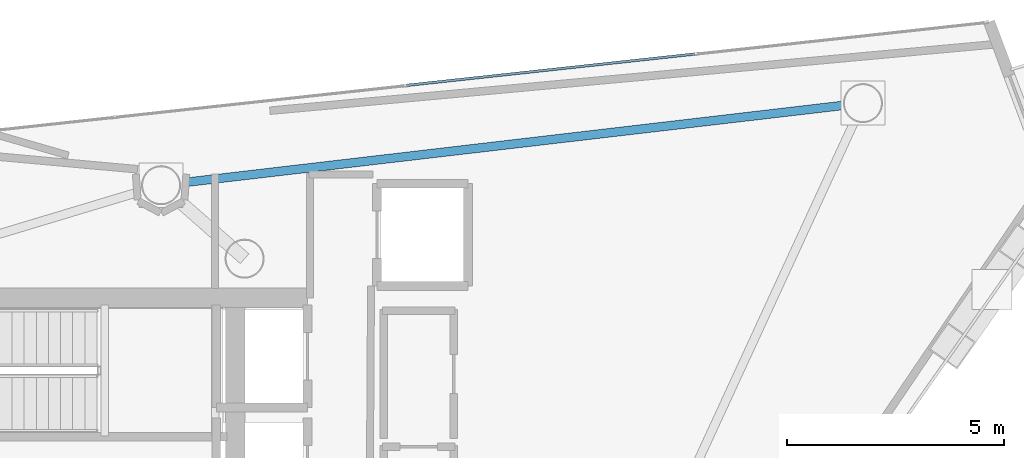
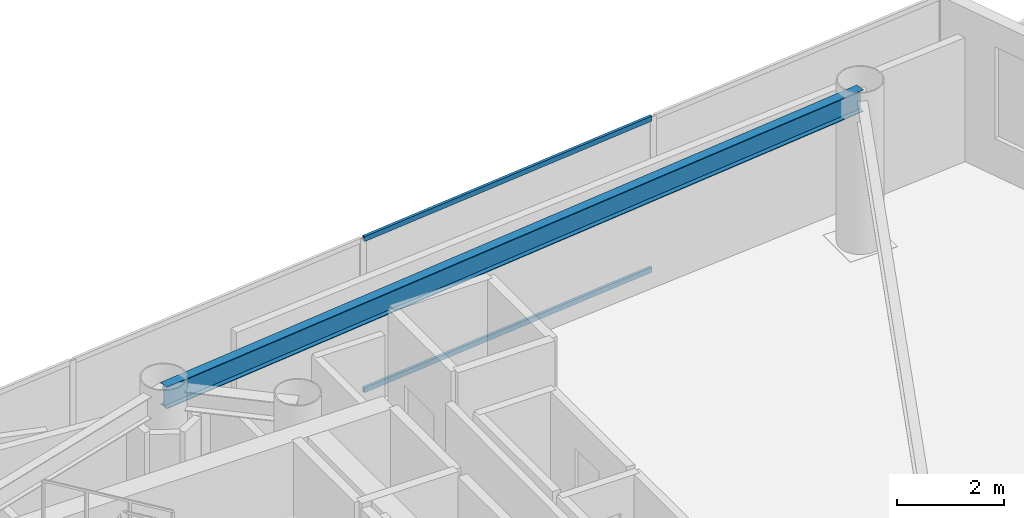
# One storey, part 12 of 19: 2 members, 1 beam, 1 element without a shape of its own.
"""IFC4 building model written with IfcOpenShell, lengths in metres."""

import ifcopenshell
import ifcopenshell.guid

model = None  # the IFC model being written
_history = None  # IfcOwnerHistory: only IFC2X3 demands one
_inside = {}  # id of a spatial element -> (the spatial element, [elements in it])
_under = {}  # id of a project, library or spatial element -> (it, [spatial elements below it])
_declared = {}  # id of a project -> (the project, [libraries it declares])
_typed = {}  # id of a type object -> (the type object, [elements of that type])
_made_of = {}  # id of a material, layer set ... -> (it, [elements and type objects made of it])


def new_model(schema):
    """Start an empty IFC model of exactly this schema.

    Asked for "IFC4X3", IfcOpenShell would pick the latest addendum, in which some entities
    have other attributes; the version numbers below select the first issue.
    IFC2X3 requires an IfcOwnerHistory on every rooted entity: one is made here for all.
    """
    global model, _history
    if schema == "IFC4X3":
        model = ifcopenshell.file(schema_version=(4, 3, 0, 0))
    else:
        model = ifcopenshell.file(schema=schema)
    _inside.clear()
    _under.clear()
    _declared.clear()
    _typed.clear()
    _made_of.clear()
    _history = None
    if model.schema == "IFC2X3":
        org = make("IfcOrganization", Name="unknown")
        user = make(
            "IfcPersonAndOrganization",
            ThePerson=make("IfcPerson", FamilyName="unknown"),
            TheOrganization=org,
        )
        app = make(
            "IfcApplication",
            ApplicationDeveloper=org,
            Version="unknown",
            ApplicationFullName="unknown",
            ApplicationIdentifier="unknown",
        )
        _history = make(
            "IfcOwnerHistory",
            OwningUser=user,
            OwningApplication=app,
            ChangeAction="ADDED",
            CreationDate=0,
        )
    return model


def make(cls, **values):
    """One entity of the class cls with the attributes given. An attribute that is None is left unset."""
    return model.create_entity(
        cls, **{name: value for name, value in values.items() if value is not None}
    )


def rooted(cls, **values):
    """An entity with a GlobalId (a new one), such as an element, a storey or a relation."""
    return make(cls, GlobalId=ifcopenshell.guid.new(), OwnerHistory=_history, **values)


def si_unit(unit_type, name, prefix=None):
    """IfcSIUnit, for example si_unit("LENGTHUNIT", "METRE", prefix="MILLI")."""
    return make("IfcSIUnit", UnitType=unit_type, Prefix=prefix, Name=name)


def assignment(units):
    """IfcUnitAssignment: the units of a project."""
    return None if units is None else make("IfcUnitAssignment", Units=units)


def point(xyz):
    """IfcCartesianPoint."""
    return None if xyz is None else make("IfcCartesianPoint", Coordinates=xyz)


def direction(xyz):
    """IfcDirection."""
    return None if xyz is None else make("IfcDirection", DirectionRatios=xyz)


def frame(location, z_axis=None, x_axis=None):
    """IfcAxis2Placement3D, a coordinate frame: its origin and axes. An axis left out is left unset."""
    return make(
        "IfcAxis2Placement3D",
        Location=point(location),
        Axis=direction(z_axis),
        RefDirection=direction(x_axis),
    )


def frame_2d(location, x_axis=None):
    """IfcAxis2Placement2D, a coordinate frame in the plane: its origin and x axis."""
    return make(
        "IfcAxis2Placement2D", Location=point(location), RefDirection=direction(x_axis)
    )


def origin():
    """The frame at (0, 0, 0) with its axes left unset."""
    return frame((0.0, 0.0, 0.0))


def origin_2d():
    """The frame at (0, 0) in the plane with its x axis left unset."""
    return frame_2d((0.0, 0.0))


def place(relative_to, where):
    """IfcLocalPlacement: puts the frame where relative to a parent placement (None: the world)."""
    return make(
        "IfcLocalPlacement", PlacementRelTo=relative_to, RelativePlacement=where
    )


def context(
    kind, dimensions, precision=None, world=None, true_north=None, identifier=None
):
    """IfcGeometricRepresentationContext, for example the 3D "Model" context."""
    return make(
        "IfcGeometricRepresentationContext",
        ContextIdentifier=identifier,
        ContextType=kind,
        CoordinateSpaceDimension=dimensions,
        Precision=precision,
        WorldCoordinateSystem=world,
        TrueNorth=true_north,
    )


def subcontext(parent, identifier, kind, view, scale=None):
    """IfcGeometricRepresentationSubContext, for example "Body" below "Model"."""
    return make(
        "IfcGeometricRepresentationSubContext",
        ContextIdentifier=identifier,
        ContextType=kind,
        ParentContext=parent,
        TargetScale=scale,
        TargetView=view,
    )


def project(units=None, contexts=None):
    """IfcProject with its units and contexts."""
    return rooted(
        "IfcProject",
        Name="project",
        RepresentationContexts=contexts,
        UnitsInContext=assignment(units),
    )


def spatial(cls, under=None, at=None, **own):
    """A site, building, storey or space (cls), placed at a placement, below another one or the project."""
    s = rooted(cls, ObjectPlacement=at, **own)
    if under is not None:
        _under.setdefault(under.id(), (under, []))[1].append(s)
    return s


def profile(cls, at=None, kind="AREA", **sizes):
    """A parametric profile (cls). Its sizes go by their IFC names, for example OverallWidth=200.0."""
    return make(cls, ProfileType=kind, Position=at, **sizes)


def hollow_rectangle(**sizes):
    """IfcRectangleHollowProfileDef."""
    return profile("IfcRectangleHollowProfileDef", **sizes)


def i_section(**sizes):
    """IfcIShapeProfileDef."""
    return profile("IfcIShapeProfileDef", **sizes)


def extrude(swept, where, along, depth):
    """IfcExtrudedAreaSolid: the profile swept, set in the frame where, extruded along a direction by depth."""
    return make(
        "IfcExtrudedAreaSolid",
        SweptArea=swept,
        Position=where,
        ExtrudedDirection=direction(along),
        Depth=depth,
    )


def shape(context_of_items, identifier, shape_type, items):
    """IfcShapeRepresentation: the items that make up one representation, for example the "Body"."""
    return make(
        "IfcShapeRepresentation",
        ContextOfItems=context_of_items,
        RepresentationIdentifier=identifier,
        RepresentationType=shape_type,
        Items=items,
    )


def material(Name=None, Category=None):
    """IfcMaterial."""
    return make("IfcMaterial", Name=Name, Category=Category)


def layer(
    of_material, thickness, ventilated=None, Name=None, Category=None, Priority=None
):
    """IfcMaterialLayer: one layer of a wall or slab, of a material (None: an air gap)."""
    return make(
        "IfcMaterialLayer",
        Material=of_material,
        LayerThickness=thickness,
        IsVentilated=ventilated,
        Name=Name,
        Category=Category,
        Priority=Priority,
    )


def layer_set(layers, Name=None):
    """IfcMaterialLayerSet."""
    return make("IfcMaterialLayerSet", MaterialLayers=layers, LayerSetName=Name)


def material_profile(
    of_material, cross_section, Name=None, Category=None, Priority=None
):
    """IfcMaterialProfile: a cross section and its material."""
    return make(
        "IfcMaterialProfile",
        Name=Name,
        Material=of_material,
        Profile=cross_section,
        Priority=Priority,
        Category=Category,
    )


def profile_set(profiles, Name=None, composite=None):
    """IfcMaterialProfileSet."""
    return make(
        "IfcMaterialProfileSet",
        Name=Name,
        MaterialProfiles=profiles,
        CompositeProfile=composite,
    )


def made_of(thing, what):
    """Note that an element or type object is made of a material, layer set ...; save() writes the relation."""
    if what is not None:
        _made_of.setdefault(what.id(), (what, []))[1].append(thing)
    return thing


def type_object(cls, material=None, **own):
    """A type object (cls), such as IfcWallType, which elements share."""
    return made_of(rooted(cls, **own), material)


def element(
    cls,
    number,
    at=None,
    inside=None,
    cuts=None,
    type_object=None,
    material=None,
    context=None,
    identifier="Body",
    shape_type=None,
    held_by="IfcProductDefinitionShape",
    body=None,
    shapes=None,
    **own,
):
    """One element of the class cls, such as IfcWall. Its Tag is "e" and its number.

    at: its placement. inside: the storey or other place that contains it. cuts: it is an
    opening in that element (IfcRelVoidsElement). A single representation is given by context,
    identifier, shape_type and body (its items); several are given by shapes. held_by: the class
    of the entity that holds the representations. save() writes the other relations.
    """
    e = rooted(cls, Tag="e%d" % number, ObjectPlacement=at, **own)
    if body is not None:
        shapes = [shape(context, identifier, shape_type, body)]
    if shapes is not None:
        e.Representation = make(held_by, Representations=shapes)
    if inside is not None:
        _inside.setdefault(inside.id(), (inside, []))[1].append(e)
    if cuts is not None:
        rooted(
            "IfcRelVoidsElement", RelatingBuildingElement=cuts, RelatedOpeningElement=e
        )
    if type_object is not None:
        _typed.setdefault(type_object.id(), (type_object, []))[1].append(e)
    return made_of(e, material)


def aggregate(whole, parts):
    """IfcRelAggregates: a whole, such as a stair, and the parts it consists of."""
    return rooted("IfcRelAggregates", RelatingObject=whole, RelatedObjects=parts)


def save(model, path):
    """Write the relations noted so far, then the file.

    IfcRelAggregates (storeys below a building ...), IfcRelContainedInSpatialStructure (elements
    in a storey), IfcRelDefinesByType, IfcRelAssociatesMaterial and IfcRelDeclares: one each for
    every whole, place, type object, material and project.
    """
    for whole, parts in _under.values():
        aggregate(whole, parts)
    for where, things in _inside.values():
        rooted(
            "IfcRelContainedInSpatialStructure",
            RelatedElements=things,
            RelatingStructure=where,
        )
    for kind, things in _typed.values():
        rooted("IfcRelDefinesByType", RelatedObjects=things, RelatingType=kind)
    for what, things in _made_of.values():
        rooted("IfcRelAssociatesMaterial", RelatedObjects=things, RelatingMaterial=what)
    for by, libraries in _declared.values():
        rooted("IfcRelDeclares", RelatingContext=by, RelatedDefinitions=libraries)
    model.write(path)


model = new_model("IFC4")

# Units and contexts
model_context = context("Model", 3, precision=1e-05, world=origin(), true_north=direction((0.0, 1.0)))
body_context = subcontext(model_context, "Body", "Model", "MODEL_VIEW")
ifc_project = project(units=[si_unit("LENGTHUNIT", "METRE"), si_unit("AREAUNIT", "SQUARE_METRE"), si_unit("VOLUMEUNIT", "CUBIC_METRE"), si_unit("PLANEANGLEUNIT", "RADIAN"), si_unit("MASSUNIT", "GRAM", prefix="KILO")], contexts=[model_context])

# Site, building, storey
site_placement = place(None, origin())
site = spatial("IfcSite", under=ifc_project, at=site_placement, CompositionType="ELEMENT")
building_placement = place(site_placement, origin())
building = spatial("IfcBuilding", under=site, at=building_placement, Name="Qianvela Tower", CompositionType="ELEMENT")
storey_placement = place(building_placement, frame((0.0, 0.0, 280.60009765625)))
storey = spatial("IfcBuildingStorey", under=building, at=storey_placement, Name="L72", CompositionType="ELEMENT", Elevation=280.60009765625)

# Beam
ifc_material_1 = material(Name="Steel Q355B", Category="steel")
ifc_material_profile_1 = material_profile(ifc_material_1, i_section(OverallWidth=0.199951171875, OverallDepth=0.5, WebThickness=0.010009765625, FlangeThickness=0.01611328125, at=origin_2d()), Name="HN500x200x10x16")
ifc_profile_set_1 = profile_set([ifc_material_profile_1], Name="Steel Q355B")
beam_type = type_object("IfcBeamType", Name="BM-HN500-GIRD", PredefinedType="BEAM", material=ifc_profile_set_1)
beam_placement = place(storey_placement, frame((52.64794921875, 37.135009765625, 3.267822265625), z_axis=(-0.993225117092, -0.116206139153, 0.0), x_axis=(0.116206139153, -0.993225117092, 0.0)))
element("IfcBeam", 1, at=beam_placement, inside=storey, type_object=beam_type, Name="L72 Perimeter Ring Spandrel Girder 1", PredefinedType="BEAM", context=body_context, shape_type="SweptSolid", body=[
    extrude(i_section(OverallWidth=0.199951171875, OverallDepth=0.5, WebThickness=0.010009765625, FlangeThickness=0.01611328125, at=origin_2d()), origin(), (0.0, 0.0, 1.0), 16.2822265625),
])

# Curtain wall, members
ifc_material_2 = material(Name="Anodised Architectural Aluminium and Low-E Glass", Category="aluminium")
ifc_layer = layer(ifc_material_2, 0.14990234375)
ifc_layer_set = layer_set([ifc_layer], Name="Anodised Architectural Aluminium and Low-E Glass")
curtain_wall_type = type_object("IfcCurtainWallType", Name="CW-COLIV-Z78", PredefinedType="USERDEFINED", material=ifc_layer_set)
curtain_wall_placement = place(storey_placement, origin())
curtain_wall = element("IfcCurtainWall", 2, at=curtain_wall_placement, inside=storey, type_object=curtain_wall_type, Name="L72 CW-COLIV-Z78 Curtain Wall 02A", ObjectType="CURTAIN_WALL_SYSTEM", PredefinedType="USERDEFINED")
ifc_material_3 = material(Name="Anodised Architectural Aluminium 6063-T6", Category="aluminium")
ifc_material_profile_2 = material_profile(ifc_material_3, hollow_rectangle(XDim=0.06005859375, YDim=0.114990234375, WallThickness=0.00390625, at=origin_2d()), Name="ALU-TRAN-60x115")
ifc_profile_set_2 = profile_set([ifc_material_profile_2], Name="Anodised Architectural Aluminium 6063-T6")
member_type = type_object("IfcMemberType", Name="CW-COLIV-Z78-TRAN", PredefinedType="USERDEFINED", material=ifc_profile_set_2)
member_1_placement = place(storey_placement, frame((48.775634765625, 38.2666015625, 0.02978515625), z_axis=(-0.994139428049, -0.108105492911, 0.0), x_axis=(0.108105492911, -0.994139428049, 0.0)))
member_1 = element("IfcMember", 3, at=member_1_placement, type_object=member_type, Name="CW-6 transom 2.1", ObjectType="TRANSOM", PredefinedType="USERDEFINED", context=body_context, shape_type="SweptSolid", body=[
    extrude(hollow_rectangle(XDim=0.06005859375, YDim=0.114990234375, WallThickness=0.00390625, at=origin_2d()), origin(), (0.0, 0.0, 1.0), 6.682373046875),
])
member_2_placement = place(storey_placement, frame((48.775634765625, 38.2666015625, 3.489990234375), z_axis=(-0.994139428049, -0.108105492911, 0.0), x_axis=(0.108105492911, -0.994139428049, 0.0)))
member_2 = element("IfcMember", 4, at=member_2_placement, type_object=member_type, Name="CW-6 transom 2.2", ObjectType="TRANSOM", PredefinedType="USERDEFINED", context=body_context, shape_type="SweptSolid", body=[
    extrude(hollow_rectangle(XDim=0.06005859375, YDim=0.114990234375, WallThickness=0.00390625, at=origin_2d()), origin(), (0.0, 0.0, 1.0), 6.682373046875),
])
aggregate(curtain_wall, [member_1, member_2])

save(model, "model.ifc")
